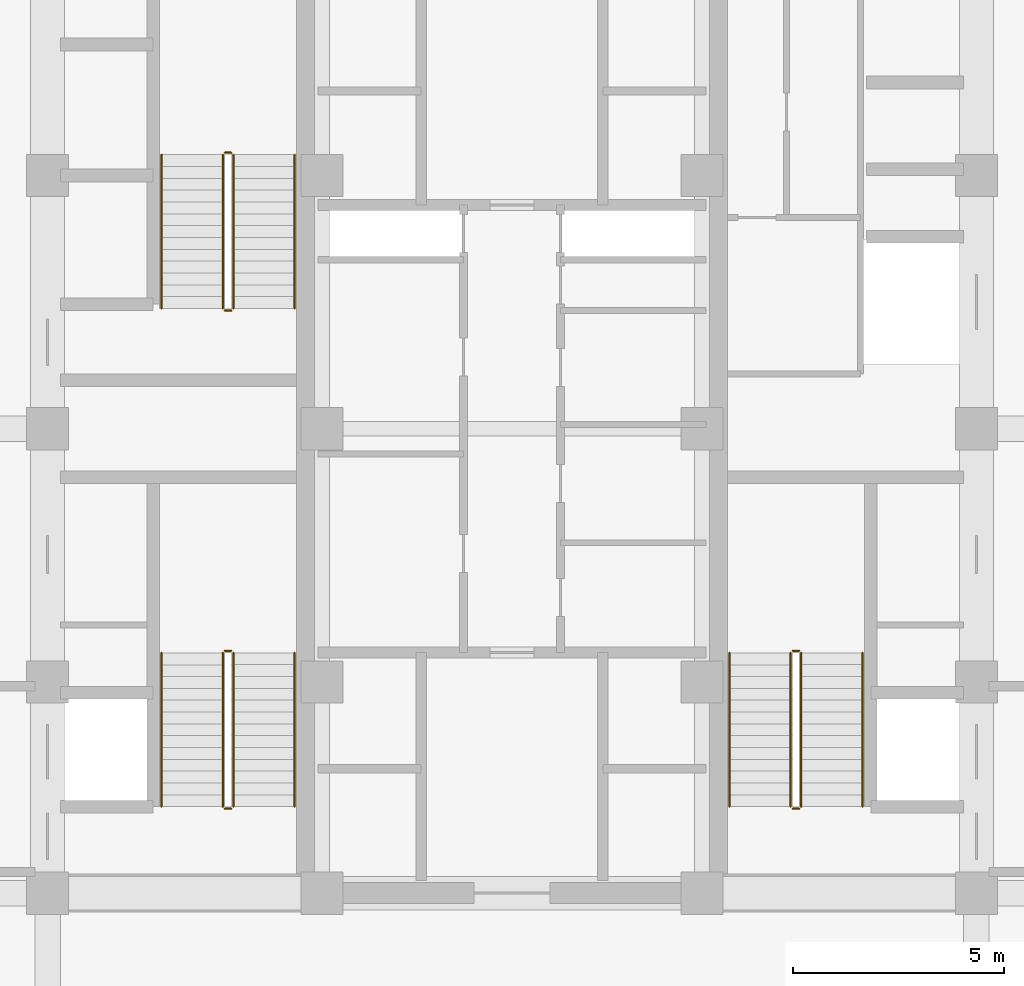
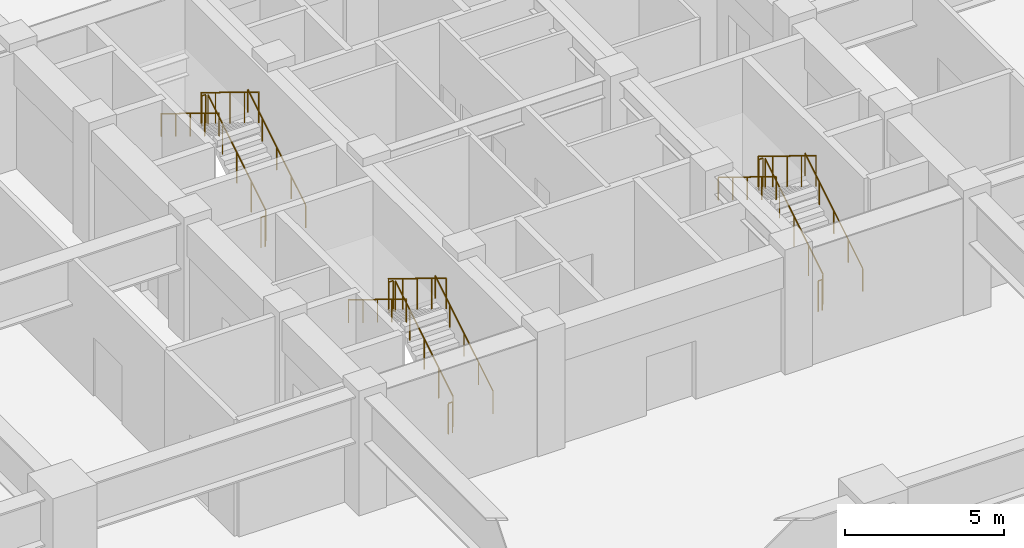
# One storey, part 11 of 13: 18 railings.
"""IFC4 building model written with IfcOpenShell, lengths in metres."""

from ifc_helpers import new_model, si_unit, direction, frame, origin, origin_2d, place, context, subcontext, project, spatial, circle, extrude, source, transform, mapped, material, type_object, element, save


model = new_model("IFC4")

# Units and contexts
model_context = context("Model", 3, precision=1e-05, world=origin(), true_north=direction((0.0, 1.0)))
body_context = subcontext(model_context, "Body", "Model", "MODEL_VIEW")
ifc_project = project(units=[si_unit("LENGTHUNIT", "METRE"), si_unit("AREAUNIT", "SQUARE_METRE"), si_unit("VOLUMEUNIT", "CUBIC_METRE"), si_unit("PLANEANGLEUNIT", "RADIAN"), si_unit("MASSUNIT", "GRAM", prefix="KILO")], contexts=[model_context])

# Site, building, storey
site_placement = place(None, origin())
site = spatial("IfcSite", under=ifc_project, at=site_placement, CompositionType="ELEMENT")
building_placement = place(site_placement, origin())
building = spatial("IfcBuilding", under=site, at=building_placement, Name="Khorayat Bourse Tower", CompositionType="ELEMENT")
storey_placement = place(building_placement, frame((0.0, 0.0, -4.800048828125)))
storey = spatial("IfcBuildingStorey", under=building, at=storey_placement, Name="B01", CompositionType="ELEMENT", Elevation=-4.800048828125)

# Railings
ifc_material_1 = material(Name="Powder-coated steel balustrade", Category="steel")
railing_type_1 = type_object("IfcRailingType", Name="RLG-GUARD-1200", PredefinedType="GUARDRAIL", material=ifc_material_1)
shared_shape_1 = source(origin(), body_context, "Body", "SweptSolid", [
    extrude(circle(Radius=0.02392578125, at=origin_2d()), frame((0.0, 0.0, 1.17578125), z_axis=(-1.0, 0.0, 0.0), x_axis=(0.0, -1.0, 0.0)), (0.0, 0.0, 1.0), 0.150146484375),
    extrude(circle(Radius=0.02099609375, at=origin_2d()), origin(), (0.0, 0.0, 1.0), 1.15185546875),
    extrude(circle(Radius=0.02099609375, at=origin_2d()), frame((-0.150146484375, 0.0, 0.0)), (0.0, 0.0, 1.0), 1.15185546875),
])
for number, where, name in (
    (1, (-6.64990234375, -5.260009765625, 2.400146484375), "B01 ST-1 stair guard 2"),
    (2, (-6.64990234375, -9.0, 0.0), "B01 ST-1 stair guard 4"),
    (3, (-6.64990234375, 6.5400390625, 2.400146484375), "B01 ST-2 stair guard 2"),
    (4, (-6.64990234375, 2.800048828125, 0.0), "B01 ST-2 stair guard 4"),
    (5, (6.800048828125, -5.260009765625, 2.400146484375), "B01 ST-3 stair guard 2"),
    (6, (6.800048828125, -9.0, 0.0), "B01 ST-3 stair guard 4"),
):
    element("IfcRailing", number, at=place(storey_placement, frame(where)), inside=storey, type_object=railing_type_1, Name=name, PredefinedType="GUARDRAIL", context=body_context, shape_type="MappedRepresentation", body=[
        mapped(shared_shape_1, transform((0.0, 0.0, 0.0), scale=1.0)),
    ])
shared_shape_2 = source(origin(), body_context, "Body", "SweptSolid", [
    extrude(circle(Radius=0.02392578125, at=origin_2d()), frame((0.0, 0.0, 1.17578125), z_axis=(0.0, -0.852850264322, 0.5221555579), x_axis=(1.0, 0.0, 0.0)), (0.0, 0.0, 1.0), 4.267822265625),
    extrude(circle(Radius=0.02099609375, at=origin_2d()), origin(), (0.0, 0.0, 1.0), 1.15185546875),
    extrude(circle(Radius=0.02099609375, at=origin_2d()), frame((0.0, -0.909912109375, 0.55712890625)), (0.0, 0.0, 1.0), 1.15185546875),
    extrude(circle(Radius=0.02099609375, at=origin_2d()), frame((0.0, -1.81982421875, 1.1142578125)), (0.0, 0.0, 1.0), 1.15185546875),
    extrude(circle(Radius=0.02099609375, at=origin_2d()), frame((0.0, -2.72998046875, 1.67138671875)), (0.0, 0.0, 1.0), 1.15185546875),
    extrude(circle(Radius=0.02099609375, at=origin_2d()), frame((0.0, -3.639892578125, 2.228515625)), (0.0, 0.0, 1.0), 1.15185546875),
])
for number, where, name in (
    (7, (-6.85009765625, -5.31005859375, 2.571533203125), "B01 ST-1 stair guard 3"),
    (8, (-6.85009765625, 6.489990234375, 2.571533203125), "B01 ST-2 stair guard 3"),
    (9, (6.60009765625, -5.31005859375, 2.571533203125), "B01 ST-3 stair guard 3"),
):
    element("IfcRailing", number, at=place(storey_placement, frame(where)), inside=storey, type_object=railing_type_1, Name=name, PredefinedType="GUARDRAIL", context=body_context, shape_type="MappedRepresentation", body=[
        mapped(shared_shape_2, transform((0.0, 0.0, 0.0), scale=1.0)),
    ])
ifc_material_2 = material(Name="Brushed bronze stainless-steel handrail", Category="steel")
railing_type_2 = type_object("IfcRailingType", Name="RLG-HAND-900", PredefinedType="HANDRAIL", material=ifc_material_2)
shared_shape_3 = source(origin(), body_context, "Body", "SweptSolid", [
    extrude(circle(Radius=0.02392578125, at=origin_2d()), frame((0.0, 0.0, 0.8759765625), z_axis=(0.0, -0.852850264322, 0.5221555579), x_axis=(1.0, 0.0, 0.0)), (0.0, 0.0, 1.0), 4.267822265625),
    extrude(circle(Radius=0.02099609375, at=origin_2d()), origin(), (0.0, 0.0, 1.0), 0.851806640625),
    extrude(circle(Radius=0.02099609375, at=origin_2d()), frame((0.0, -0.909912109375, 0.55712890625)), (0.0, 0.0, 1.0), 0.851806640625),
    extrude(circle(Radius=0.02099609375, at=origin_2d()), frame((0.0, -1.81982421875, 1.1142578125)), (0.0, 0.0, 1.0), 0.851806640625),
    extrude(circle(Radius=0.02099609375, at=origin_2d()), frame((0.0, -2.72998046875, 1.67138671875)), (0.0, 0.0, 1.0), 0.851806640625),
    extrude(circle(Radius=0.02099609375, at=origin_2d()), frame((0.0, -3.639892578125, 2.228515625)), (0.0, 0.0, 1.0), 0.851806640625),
])
for number, where, name in (
    (10, (-8.300048828125, -5.31005859375, 2.571533203125), "B01 ST-1 stair handrail 2"),
    (11, (-8.300048828125, 6.489990234375, 2.571533203125), "B01 ST-2 stair handrail 2"),
    (12, (5.14990234375, -5.31005859375, 2.571533203125), "B01 ST-3 stair handrail 2"),
):
    element("IfcRailing", number, at=place(storey_placement, frame(where)), inside=storey, type_object=railing_type_2, Name=name, PredefinedType="HANDRAIL", context=body_context, shape_type="MappedRepresentation", body=[
        mapped(shared_shape_3, transform((0.0, 0.0, 0.0), scale=1.0)),
    ])
shared_shape_4 = source(origin(), body_context, "Body", "SweptSolid", [
    extrude(circle(Radius=0.02392578125, at=origin_2d()), frame((0.0, 0.0, 1.17578125), z_axis=(0.0, 0.852824790078, 0.522197163366), x_axis=(-1.0, 0.0, 0.0)), (0.0, 0.0, 1.0), 4.26806640625),
    extrude(circle(Radius=0.02099609375, at=origin_2d()), origin(), (0.0, 0.0, 1.0), 1.15185546875),
    extrude(circle(Radius=0.02099609375, at=origin_2d()), frame((0.0, 0.909912109375, 0.55712890625)), (0.0, 0.0, 1.0), 1.15185546875),
    extrude(circle(Radius=0.02099609375, at=origin_2d()), frame((0.0, 1.81982421875, 1.1142578125)), (0.0, 0.0, 1.0), 1.15185546875),
    extrude(circle(Radius=0.02099609375, at=origin_2d()), frame((0.0, 2.72998046875, 1.671630859375)), (0.0, 0.0, 1.0), 1.15185546875),
    extrude(circle(Radius=0.02099609375, at=origin_2d()), frame((0.0, 3.639892578125, 2.228759765625)), (0.0, 0.0, 1.0), 1.15185546875),
])
for number, where, name in (
    (13, (-6.60009765625, -8.949951171875, 0.17138671875), "B01 ST-1 stair guard 1"),
    (14, (-6.60009765625, 2.85009765625, 0.17138671875), "B01 ST-2 stair guard 1"),
    (15, (6.85009765625, -8.949951171875, 0.17138671875), "B01 ST-3 stair guard 1"),
):
    element("IfcRailing", number, at=place(storey_placement, frame(where)), inside=storey, type_object=railing_type_1, Name=name, PredefinedType="GUARDRAIL", context=body_context, shape_type="MappedRepresentation", body=[
        mapped(shared_shape_4, transform((0.0, 0.0, 0.0), scale=1.0)),
    ])
shared_shape_5 = source(origin(), body_context, "Body", "SweptSolid", [
    extrude(circle(Radius=0.02392578125, at=origin_2d()), frame((0.0, 0.0, 0.8759765625), z_axis=(0.0, 0.852824790078, 0.522197163366), x_axis=(-1.0, 0.0, 0.0)), (0.0, 0.0, 1.0), 4.26806640625),
    extrude(circle(Radius=0.02099609375, at=origin_2d()), origin(), (0.0, 0.0, 1.0), 0.851806640625),
    extrude(circle(Radius=0.02099609375, at=origin_2d()), frame((0.0, 0.909912109375, 0.55712890625)), (0.0, 0.0, 1.0), 0.851806640625),
    extrude(circle(Radius=0.02099609375, at=origin_2d()), frame((0.0, 1.81982421875, 1.1142578125)), (0.0, 0.0, 1.0), 0.851806640625),
    extrude(circle(Radius=0.02099609375, at=origin_2d()), frame((0.0, 2.72998046875, 1.671630859375)), (0.0, 0.0, 1.0), 0.851806640625),
    extrude(circle(Radius=0.02099609375, at=origin_2d()), frame((0.0, 3.639892578125, 2.228759765625)), (0.0, 0.0, 1.0), 0.851806640625),
])
for number, where, name in (
    (16, (-5.14990234375, -8.949951171875, 0.17138671875), "B01 ST-1 stair handrail 1"),
    (17, (-5.14990234375, 2.85009765625, 0.17138671875), "B01 ST-2 stair handrail 1"),
    (18, (8.300048828125, -8.949951171875, 0.17138671875), "B01 ST-3 stair handrail 1"),
):
    element("IfcRailing", number, at=place(storey_placement, frame(where)), inside=storey, type_object=railing_type_2, Name=name, PredefinedType="HANDRAIL", context=body_context, shape_type="MappedRepresentation", body=[
        mapped(shared_shape_5, transform((0.0, 0.0, 0.0), scale=1.0)),
    ])

save(model, "model.ifc")
